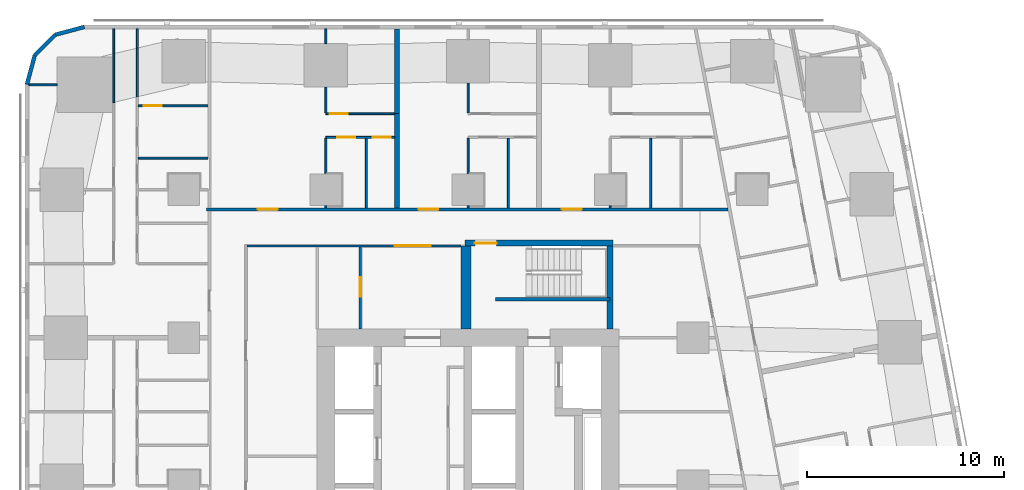
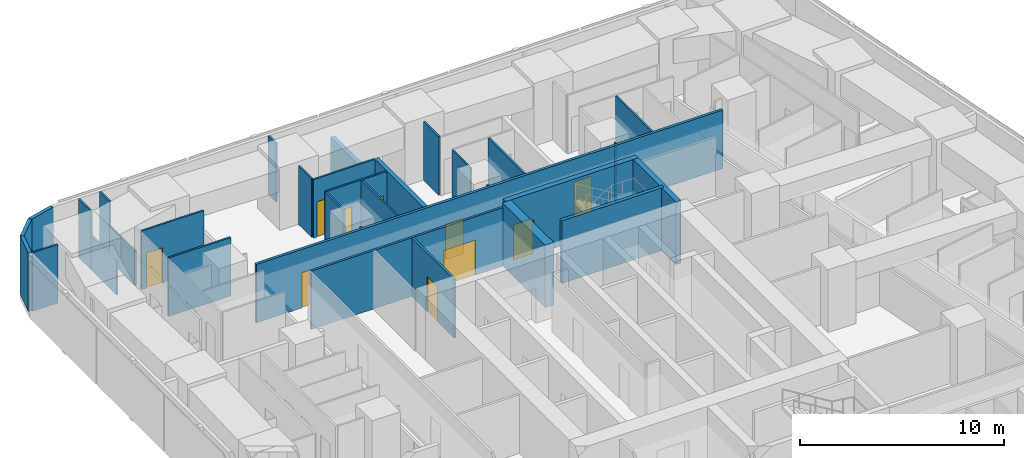
# One storey, part 10 of 16: 32 walls, 10 doors, 10 openings.
"""IFC4 building model written with IfcOpenShell, lengths in metres."""

from ifc_helpers import new_model, si_unit, direction, frame, frame_2d, origin, place, context, subcontext, project, spatial, rectangle, extrude, material, layer, layer_set, type_object, element, fill, save


model = new_model("IFC4")

# Units and contexts
model_context = context("Model", 3, precision=1e-05, world=origin(), true_north=direction((0.0, 1.0)))
body_context = subcontext(model_context, "Body", "Model", "MODEL_VIEW")
ifc_project = project(units=[si_unit("LENGTHUNIT", "METRE"), si_unit("AREAUNIT", "SQUARE_METRE"), si_unit("VOLUMEUNIT", "CUBIC_METRE"), si_unit("PLANEANGLEUNIT", "RADIAN"), si_unit("MASSUNIT", "GRAM", prefix="KILO")], contexts=[model_context])

# Site, building, storey
site_placement = place(None, origin())
site = spatial("IfcSite", under=ifc_project, at=site_placement, CompositionType="ELEMENT")
building_placement = place(site_placement, origin())
building = spatial("IfcBuilding", under=site, at=building_placement, Name="Sheger Commons Tower", CompositionType="ELEMENT")
storey_placement = place(building_placement, frame((0.0, 0.0, 92.89990234375)))
storey = spatial("IfcBuildingStorey", under=building, at=storey_placement, Name="L23", CompositionType="ELEMENT", Elevation=92.89990234375)

# Wall, openings, doors
ifc_material_1 = material(Name="Hollow concrete block masonry, skimmed both sides", Category="masonry")
ifc_layer_1 = layer(ifc_material_1, 0.14990234375)
ifc_layer_set_1 = layer_set([ifc_layer_1], Name="CORRIDOR WALL 150")
wall_type_1 = type_object("IfcWallType", Name="CORRIDOR WALL 150", PredefinedType="SOLIDWALL", material=ifc_layer_set_1)
wall_1_placement = place(storey_placement, frame((8.35009765625, 36.5, 0.0), z_axis=(0.0, 0.0, 1.0), x_axis=(1.0, 0.0, 0.0)))
wall_1 = element("IfcWall", 1, at=wall_1_placement, inside=storey, type_object=wall_type_1, Name="Corridor wall L23", PredefinedType="SOLIDWALL", context=body_context, shape_type="SweptSolid", body=[
    extrude(rectangle(XDim=26.414794921875, YDim=0.14990234375, at=frame_2d((13.20751953125, 0.0))), origin(), (0.0, 0.0, 1.0), 3.5),
])
opening_1_placement = place(wall_1_placement, frame((2.60009765625, 0.0, 0.0)))
opening_1 = element("IfcOpeningElement", 2, at=opening_1_placement, cuts=wall_1, Name="Opening D1", PredefinedType="OPENING", context=body_context, shape_type="SweptSolid", body=[
    extrude(rectangle(XDim=1.0, YDim=2.10009765625, at=frame_2d((0.5, 1.050048828125))), frame((0.0, 0.0849609375, 0.0), z_axis=(0.0, -1.0, 0.0), x_axis=(1.0, 0.0, 0.0)), (0.0, 0.0, 1.0), 0.169921875),
])
opening_2_placement = place(wall_1_placement, frame((10.75, 0.0, 0.0)))
opening_2 = element("IfcOpeningElement", 3, at=opening_2_placement, cuts=wall_1, Name="Opening D1", PredefinedType="OPENING", context=body_context, shape_type="SweptSolid", body=[
    extrude(rectangle(XDim=1.0, YDim=2.10009765625, at=frame_2d((0.5, 1.050048828125))), frame((0.0, 0.0849609375, 0.0), z_axis=(0.0, -1.0, 0.0), x_axis=(1.0, 0.0, 0.0)), (0.0, 0.0, 1.0), 0.169921875),
])
opening_3_placement = place(wall_1_placement, frame((18.007080078125, 0.0, 0.0)))
opening_3 = element("IfcOpeningElement", 4, at=opening_3_placement, cuts=wall_1, Name="Opening D1", PredefinedType="OPENING", context=body_context, shape_type="SweptSolid", body=[
    extrude(rectangle(XDim=1.0, YDim=2.10009765625, at=frame_2d((0.5, 1.050048828125))), frame((0.0, 0.0849609375, 0.0), z_axis=(0.0, -1.0, 0.0), x_axis=(1.0, 0.0, 0.0)), (0.0, 0.0, 1.0), 0.169921875),
])
ifc_material_2 = material(Name="Steel door set, fire rated", Category="steel")
door_type_1 = type_object("IfcDoorType", Name="FLAT ENTRANCE DOOR 1000x2100", OperationType="NOTDEFINED", PredefinedType="DOOR", material=ifc_material_2)
door_1_placement = place(opening_1_placement, origin())
door_1 = element("IfcDoor", 5, at=door_1_placement, inside=storey, type_object=door_type_1, Name="Flat entrance door", OperationType="SINGLE_SWING_LEFT", OverallHeight=2.10009765625, OverallWidth=1.0, PredefinedType="DOOR", context=body_context, shape_type="SweptSolid", body=[
    extrude(rectangle(XDim=1.0, YDim=2.10009765625, at=frame_2d((0.5, 1.050048828125))), frame((0.0, 0.02490234375, 0.0), z_axis=(0.0, -1.0, 0.0), x_axis=(1.0, 0.0, 0.0)), (0.0, 0.0, 1.0), 0.050048828125),
])
fill(opening_1, door_1)
door_2_placement = place(opening_2_placement, origin())
door_2 = element("IfcDoor", 6, at=door_2_placement, inside=storey, type_object=door_type_1, Name="Flat entrance door", OperationType="SINGLE_SWING_LEFT", OverallHeight=2.10009765625, OverallWidth=1.0, PredefinedType="DOOR", context=body_context, shape_type="SweptSolid", body=[
    extrude(rectangle(XDim=1.0, YDim=2.10009765625, at=frame_2d((0.5, 1.050048828125))), frame((0.0, 0.02490234375, 0.0), z_axis=(0.0, -1.0, 0.0), x_axis=(1.0, 0.0, 0.0)), (0.0, 0.0, 1.0), 0.050048828125),
])
fill(opening_2, door_2)
door_3_placement = place(opening_3_placement, origin())
door_3 = element("IfcDoor", 7, at=door_3_placement, inside=storey, type_object=door_type_1, Name="Flat entrance door", OperationType="SINGLE_SWING_LEFT", OverallHeight=2.10009765625, OverallWidth=1.0, PredefinedType="DOOR", context=body_context, shape_type="SweptSolid", body=[
    extrude(rectangle(XDim=1.0, YDim=2.10009765625, at=frame_2d((0.5, 1.050048828125))), frame((0.0, 0.02490234375, 0.0), z_axis=(0.0, -1.0, 0.0), x_axis=(1.0, 0.0, 0.0)), (0.0, 0.0, 1.0), 0.050048828125),
])
fill(opening_3, door_3)

# Walls
ifc_material_3 = material(Name="Dense concrete block masonry, plastered both sides (separating wall between flats)", Category="masonry")
ifc_layer_2 = layer(ifc_material_3, 0.25)
ifc_layer_set_2 = layer_set([ifc_layer_2], Name="DEMISING WALL 250")
wall_type_2 = type_object("IfcWallType", Name="DEMISING WALL 250", PredefinedType="SOLIDWALL", material=ifc_layer_set_2)
wall_2_placement = place(storey_placement, frame((18.0, 41.35009765625, 0.0), z_axis=(0.0, 0.0, 1.0), x_axis=(0.0, 1.0, 0.0)))
element("IfcWall", 8, at=wall_2_placement, inside=storey, type_object=wall_type_2, Name="Demising wall L23", PredefinedType="SOLIDWALL", context=body_context, shape_type="SweptSolid", body=[
    extrude(rectangle(XDim=4.2998046875, YDim=0.25, at=frame_2d((2.14990234375, 0.0))), origin(), (0.0, 0.0, 1.0), 2.2001953125),
])
wall_3_placement = place(storey_placement, frame((18.0, 36.574951171875, 0.0), z_axis=(0.0, 0.0, 1.0), x_axis=(0.0, 1.0, 0.0)))
element("IfcWall", 9, at=wall_3_placement, inside=storey, type_object=wall_type_2, Name="Demising wall L23", PredefinedType="SOLIDWALL", context=body_context, shape_type="SweptSolid", body=[
    extrude(rectangle(XDim=4.775146484375, YDim=0.25, at=frame_2d((2.3876953125, 0.0))), origin(), (0.0, 0.0, 1.0), 3.5),
])
ifc_material_4 = material(Name="Rendered concrete block masonry, dark grey", Category="masonry")
ifc_layer_3 = layer(ifc_material_4, 0.199951171875)
ifc_layer_set_3 = layer_set([ifc_layer_3], Name="FACADE WALL 200")
wall_type_3 = type_object("IfcWallType", Name="FACADE WALL 200", PredefinedType="SOLIDWALL", material=ifc_layer_set_3)
wall_4_placement = place(storey_placement, frame((2.1630859375, 45.75, 0.0), z_axis=(0.0, 0.0, 1.0), x_axis=(-0.965832000415, -0.259168954497, 0.0)))
element("IfcWall", 10, at=wall_4_placement, inside=storey, type_object=wall_type_3, Name="Facade wall L23", PredefinedType="SOLIDWALL", context=body_context, shape_type="SweptSolid", body=[
    extrude(rectangle(XDim=1.512939453125, YDim=0.199951171875, at=frame_2d((0.75634765625, 0.0))), origin(), (0.0, 0.0, 1.0), 3.5),
])
wall_5_placement = place(storey_placement, frame((0.701904296875, 45.35791015625, 0.0), z_axis=(0.0, 0.0, 1.0), x_axis=(-0.707106781187, -0.707106781187, 0.0)))
element("IfcWall", 11, at=wall_5_placement, inside=storey, type_object=wall_type_3, Name="Facade wall L23", PredefinedType="SOLIDWALL", context=body_context, shape_type="SweptSolid", body=[
    extrude(rectangle(XDim=1.498779296875, YDim=0.199951171875, at=frame_2d((0.74951171875, 0.0))), origin(), (0.0, 0.0, 1.0), 3.5),
])
wall_6_placement = place(storey_placement, frame((-0.35791015625, 44.298095703125, 0.0), z_axis=(0.0, 0.0, 1.0), x_axis=(-0.259168954497, -0.965832000415, 0.0)))
element("IfcWall", 12, at=wall_6_placement, inside=storey, type_object=wall_type_3, Name="Facade wall L23", PredefinedType="SOLIDWALL", context=body_context, shape_type="SweptSolid", body=[
    extrude(rectangle(XDim=1.512939453125, YDim=0.199951171875, at=frame_2d((0.75634765625, 0.0))), origin(), (0.0, 0.0, 1.0), 3.5),
])
ifc_material_5 = material(Name="Gypsum board on steel studs", Category="steel")
ifc_layer_4 = layer(ifc_material_5, 0.10009765625)
ifc_layer_set_4 = layer_set([ifc_layer_4], Name="PARTITION 100")
wall_type_4 = type_object("IfcWallType", Name="PARTITION 100", PredefinedType="PARTITIONING", material=ifc_layer_set_4)
wall_7_placement = place(storey_placement, frame((3.64990234375, 41.9150390625, 0.0), z_axis=(0.0, 0.0, 1.0), x_axis=(0.0, 1.0, 0.0)))
element("IfcWall", 13, at=wall_7_placement, inside=storey, type_object=wall_type_4, Name="Partition L23", PredefinedType="PARTITIONING", context=body_context, shape_type="SweptSolid", body=[
    extrude(rectangle(XDim=2.489990234375, YDim=0.10009765625, at=frame_2d((1.2451171875, 0.0))), origin(), (0.0, 0.0, 1.0), 2.050048828125),
])
wall_8_placement = place(storey_placement, frame((3.64990234375, 44.405029296875, 0.0), z_axis=(0.0, 0.0, 1.0), x_axis=(0.0, 1.0, 0.0)))
element("IfcWall", 14, at=wall_8_placement, inside=storey, type_object=wall_type_4, Name="Partition L23", PredefinedType="PARTITIONING", context=body_context, shape_type="SweptSolid", body=[
    extrude(rectangle(XDim=1.244873046875, YDim=0.10009765625, at=frame_2d((0.62255859375, 0.0))), origin(), (0.0, 0.0, 1.0), 3.5),
])
wall_9_placement = place(storey_placement, frame((4.85009765625, 42.198974609375, 0.0), z_axis=(0.0, 0.0, 1.0), x_axis=(0.0, 1.0, 0.0)))
element("IfcWall", 15, at=wall_9_placement, inside=storey, type_object=wall_type_4, Name="Partition L23", PredefinedType="PARTITIONING", context=body_context, shape_type="SweptSolid", body=[
    extrude(rectangle(XDim=2.489990234375, YDim=0.10009765625, at=frame_2d((1.2451171875, 0.0))), origin(), (0.0, 0.0, 1.0), 2.050048828125),
])
wall_10_placement = place(storey_placement, frame((4.85009765625, 44.68896484375, 0.0), z_axis=(0.0, 0.0, 1.0), x_axis=(0.0, 1.0, 0.0)))
element("IfcWall", 16, at=wall_10_placement, inside=storey, type_object=wall_type_4, Name="Partition L23", PredefinedType="PARTITIONING", context=body_context, shape_type="SweptSolid", body=[
    extrude(rectangle(XDim=0.9609375, YDim=0.10009765625, at=frame_2d((0.48046875, 0.0))), origin(), (0.0, 0.0, 1.0), 3.5),
])
wall_11_placement = place(storey_placement, frame((-0.64990234375, 42.81396484375, 0.0), z_axis=(0.0, 0.0, 1.0), x_axis=(1.0, 0.0, 0.0)))
element("IfcWall", 17, at=wall_11_placement, inside=storey, type_object=wall_type_4, Name="Partition L23", PredefinedType="PARTITIONING", context=body_context, shape_type="SweptSolid", body=[
    extrude(rectangle(XDim=1.434814453125, YDim=0.10009765625, at=frame_2d((0.71728515625, 0.0))), origin(), (0.0, 0.0, 1.0), 3.5),
])
wall_12_placement = place(storey_placement, frame((4.89990234375, 39.10009765625, 0.0), z_axis=(0.0, 0.0, 1.0), x_axis=(1.0, 0.0, 0.0)))
element("IfcWall", 18, at=wall_12_placement, inside=storey, type_object=wall_type_4, Name="Partition L23", PredefinedType="PARTITIONING", context=body_context, shape_type="SweptSolid", body=[
    extrude(rectangle(XDim=3.525146484375, YDim=0.10009765625, at=frame_2d((1.7626953125, 0.0))), origin(), (0.0, 0.0, 1.0), 3.5),
])

# Wall, opening, door
wall_13_placement = place(storey_placement, frame((14.39990234375, 41.35009765625, 0.0), z_axis=(0.0, 0.0, 1.0), x_axis=(1.0, 0.0, 0.0)))
wall_13 = element("IfcWall", 19, at=wall_13_placement, inside=storey, type_object=wall_type_4, Name="Partition L23", PredefinedType="PARTITIONING", context=body_context, shape_type="SweptSolid", body=[
    extrude(rectangle(XDim=3.47509765625, YDim=0.10009765625, at=frame_2d((1.737548828125, 0.0))), origin(), (0.0, 0.0, 1.0), 3.5),
])
opening_4_placement = place(wall_13_placement, frame((0.199951171875, 0.0, 0.0)))
opening_4 = element("IfcOpeningElement", 20, at=opening_4_placement, cuts=wall_13, Name="Opening D2", PredefinedType="OPENING", context=body_context, shape_type="SweptSolid", body=[
    extrude(rectangle(XDim=0.89990234375, YDim=2.10009765625, at=frame_2d((0.449951171875, 1.050048828125))), frame((0.0, 0.06005859375, 0.0), z_axis=(0.0, -1.0, 0.0), x_axis=(1.0, 0.0, 0.0)), (0.0, 0.0, 1.0), 0.1201171875),
])
ifc_material_6 = material(Name="Timber door set", Category="wood")
door_type_2 = type_object("IfcDoorType", Name="INTERNAL DOOR 900x2100", OperationType="NOTDEFINED", PredefinedType="DOOR", material=ifc_material_6)
door_4_placement = place(opening_4_placement, origin())
door_4 = element("IfcDoor", 21, at=door_4_placement, inside=storey, type_object=door_type_2, Name="Main bedroom door", OperationType="SINGLE_SWING_LEFT", OverallHeight=2.10009765625, OverallWidth=0.89990234375, PredefinedType="DOOR", context=body_context, shape_type="SweptSolid", body=[
    extrude(rectangle(XDim=0.89990234375, YDim=2.10009765625, at=frame_2d((0.449951171875, 1.050048828125))), frame((0.0, 0.02490234375, 0.0), z_axis=(0.0, -1.0, 0.0), x_axis=(1.0, 0.0, 0.0)), (0.0, 0.0, 1.0), 0.050048828125),
])
fill(opening_4, door_4)

# Wall, openings, doors
wall_14_placement = place(storey_placement, frame((14.39990234375, 40.14990234375, 0.0), z_axis=(0.0, 0.0, 1.0), x_axis=(1.0, 0.0, 0.0)))
wall_14 = element("IfcWall", 22, at=wall_14_placement, inside=storey, type_object=wall_type_4, Name="Partition L23", PredefinedType="PARTITIONING", context=body_context, shape_type="SweptSolid", body=[
    extrude(rectangle(XDim=3.47509765625, YDim=0.10009765625, at=frame_2d((1.737548828125, 0.0))), origin(), (0.0, 0.0, 1.0), 3.5),
])
opening_5_placement = place(wall_14_placement, frame((0.574951171875, 0.0, 0.0)))
opening_5 = element("IfcOpeningElement", 23, at=opening_5_placement, cuts=wall_14, Name="Opening D2", PredefinedType="OPENING", context=body_context, shape_type="SweptSolid", body=[
    extrude(rectangle(XDim=0.89990234375, YDim=2.10009765625, at=frame_2d((0.449951171875, 1.050048828125))), frame((0.0, 0.06005859375, 0.0), z_axis=(0.0, -1.0, 0.0), x_axis=(1.0, 0.0, 0.0)), (0.0, 0.0, 1.0), 0.1201171875),
])
opening_6_placement = place(wall_14_placement, frame((2.375, 0.0, 0.0)))
opening_6 = element("IfcOpeningElement", 24, at=opening_6_placement, cuts=wall_14, Name="Opening D2", PredefinedType="OPENING", context=body_context, shape_type="SweptSolid", body=[
    extrude(rectangle(XDim=0.89990234375, YDim=2.10009765625, at=frame_2d((0.449951171875, 1.050048828125))), frame((0.0, 0.06005859375, 0.0), z_axis=(0.0, -1.0, 0.0), x_axis=(1.0, 0.0, 0.0)), (0.0, 0.0, 1.0), 0.1201171875),
])
door_5_placement = place(opening_5_placement, origin())
door_5 = element("IfcDoor", 25, at=door_5_placement, inside=storey, type_object=door_type_2, Name="Bathroom door", OperationType="SINGLE_SWING_RIGHT", OverallHeight=2.10009765625, OverallWidth=0.89990234375, PredefinedType="DOOR", context=body_context, shape_type="SweptSolid", body=[
    extrude(rectangle(XDim=0.89990234375, YDim=2.10009765625, at=frame_2d((0.449951171875, 1.050048828125))), frame((0.0, 0.02490234375, 0.0), z_axis=(0.0, -1.0, 0.0), x_axis=(1.0, 0.0, 0.0)), (0.0, 0.0, 1.0), 0.050048828125),
])
fill(opening_5, door_5)
door_6_placement = place(opening_6_placement, origin())
door_6 = element("IfcDoor", 26, at=door_6_placement, inside=storey, type_object=door_type_2, Name="Store door", OperationType="SINGLE_SWING_LEFT", OverallHeight=2.10009765625, OverallWidth=0.89990234375, PredefinedType="DOOR", context=body_context, shape_type="SweptSolid", body=[
    extrude(rectangle(XDim=0.89990234375, YDim=2.10009765625, at=frame_2d((0.449951171875, 1.050048828125))), frame((0.0, 0.02490234375, 0.0), z_axis=(0.0, -1.0, 0.0), x_axis=(1.0, 0.0, 0.0)), (0.0, 0.0, 1.0), 0.050048828125),
])
fill(opening_6, door_6)

# Walls
wall_15_placement = place(storey_placement, frame((14.39990234375, 41.39990234375, 0.0), z_axis=(0.0, 0.0, 1.0), x_axis=(0.0, 1.0, 0.0)))
element("IfcWall", 27, at=wall_15_placement, inside=storey, type_object=wall_type_4, Name="Partition L23", PredefinedType="PARTITIONING", context=body_context, shape_type="SweptSolid", body=[
    extrude(rectangle(XDim=1.299072265625, YDim=0.10009765625, at=frame_2d((0.6494140625, 0.0))), origin(), (0.0, 0.0, 1.0), 3.5),
])
wall_16_placement = place(storey_placement, frame((14.39990234375, 44.90087890625, 0.0), z_axis=(0.0, 0.0, 1.0), x_axis=(0.0, 1.0, 0.0)))
element("IfcWall", 28, at=wall_16_placement, inside=storey, type_object=wall_type_4, Name="Partition L23", PredefinedType="PARTITIONING", context=body_context, shape_type="SweptSolid", body=[
    extrude(rectangle(XDim=0.7490234375, YDim=0.10009765625, at=frame_2d((0.37451171875, 0.0))), origin(), (0.0, 0.0, 1.0), 3.5),
])
wall_17_placement = place(storey_placement, frame((14.39990234375, 36.574951171875, 0.0), z_axis=(0.0, 0.0, 1.0), x_axis=(0.0, 1.0, 0.0)))
element("IfcWall", 29, at=wall_17_placement, inside=storey, type_object=wall_type_4, Name="Partition L23", PredefinedType="PARTITIONING", context=body_context, shape_type="SweptSolid", body=[
    extrude(rectangle(XDim=0.1240234375, YDim=0.10009765625, at=frame_2d((0.06201171875, 0.0))), origin(), (0.0, 0.0, 1.0), 3.5),
])
wall_18_placement = place(storey_placement, frame((14.39990234375, 38.301025390625, 0.0), z_axis=(0.0, 0.0, 1.0), x_axis=(0.0, 1.0, 0.0)))
element("IfcWall", 30, at=wall_18_placement, inside=storey, type_object=wall_type_4, Name="Partition L23", PredefinedType="PARTITIONING", context=body_context, shape_type="SweptSolid", body=[
    extrude(rectangle(XDim=1.799072265625, YDim=0.10009765625, at=frame_2d((0.8994140625, 0.0))), origin(), (0.0, 0.0, 1.0), 3.5),
])
wall_19_placement = place(storey_placement, frame((16.449951171875, 36.574951171875, 0.0), z_axis=(0.0, 0.0, 1.0), x_axis=(0.0, 1.0, 0.0)))
element("IfcWall", 31, at=wall_19_placement, inside=storey, type_object=wall_type_4, Name="Partition L23", PredefinedType="PARTITIONING", context=body_context, shape_type="SweptSolid", body=[
    extrude(rectangle(XDim=3.525146484375, YDim=0.10009765625, at=frame_2d((1.7626953125, 0.0))), origin(), (0.0, 0.0, 1.0), 3.5),
])
wall_20_placement = place(storey_placement, frame((21.60009765625, 41.39990234375, 0.0), z_axis=(0.0, 0.0, 1.0), x_axis=(0.0, 1.0, 0.0)))
element("IfcWall", 32, at=wall_20_placement, inside=storey, type_object=wall_type_4, Name="Partition L23", PredefinedType="PARTITIONING", context=body_context, shape_type="SweptSolid", body=[
    extrude(rectangle(XDim=1.4990234375, YDim=0.10009765625, at=frame_2d((0.74951171875, 0.0))), origin(), (0.0, 0.0, 1.0), 3.5),
])
wall_21_placement = place(storey_placement, frame((21.60009765625, 36.574951171875, 0.0), z_axis=(0.0, 0.0, 1.0), x_axis=(0.0, 1.0, 0.0)))
element("IfcWall", 33, at=wall_21_placement, inside=storey, type_object=wall_type_4, Name="Partition L23", PredefinedType="PARTITIONING", context=body_context, shape_type="SweptSolid", body=[
    extrude(rectangle(XDim=0.1240234375, YDim=0.10009765625, at=frame_2d((0.06201171875, 0.0))), origin(), (0.0, 0.0, 1.0), 3.5),
])
wall_22_placement = place(storey_placement, frame((21.60009765625, 38.301025390625, 0.0), z_axis=(0.0, 0.0, 1.0), x_axis=(0.0, 1.0, 0.0)))
element("IfcWall", 34, at=wall_22_placement, inside=storey, type_object=wall_type_4, Name="Partition L23", PredefinedType="PARTITIONING", context=body_context, shape_type="SweptSolid", body=[
    extrude(rectangle(XDim=1.799072265625, YDim=0.10009765625, at=frame_2d((0.8994140625, 0.0))), origin(), (0.0, 0.0, 1.0), 3.5),
])
wall_23_placement = place(storey_placement, frame((23.64990234375, 36.574951171875, 0.0), z_axis=(0.0, 0.0, 1.0), x_axis=(0.0, 1.0, 0.0)))
element("IfcWall", 35, at=wall_23_placement, inside=storey, type_object=wall_type_4, Name="Partition L23", PredefinedType="PARTITIONING", context=body_context, shape_type="SweptSolid", body=[
    extrude(rectangle(XDim=3.525146484375, YDim=0.10009765625, at=frame_2d((1.7626953125, 0.0))), origin(), (0.0, 0.0, 1.0), 3.5),
])
wall_24_placement = place(storey_placement, frame((28.800048828125, 36.574951171875, 0.0), z_axis=(0.0, 0.0, 1.0), x_axis=(0.0, 1.0, 0.0)))
element("IfcWall", 36, at=wall_24_placement, inside=storey, type_object=wall_type_4, Name="Partition L23", PredefinedType="PARTITIONING", context=body_context, shape_type="SweptSolid", body=[
    extrude(rectangle(XDim=0.1240234375, YDim=0.10009765625, at=frame_2d((0.06201171875, 0.0))), origin(), (0.0, 0.0, 1.0), 3.5),
])
wall_25_placement = place(storey_placement, frame((30.85009765625, 36.574951171875, 0.0), z_axis=(0.0, 0.0, 1.0), x_axis=(0.0, 1.0, 0.0)))
element("IfcWall", 37, at=wall_25_placement, inside=storey, type_object=wall_type_4, Name="Partition L23", PredefinedType="PARTITIONING", context=body_context, shape_type="SweptSolid", body=[
    extrude(rectangle(XDim=3.525146484375, YDim=0.10009765625, at=frame_2d((1.7626953125, 0.0))), origin(), (0.0, 0.0, 1.0), 3.5),
])

# Wall, opening, door
wall_26_placement = place(storey_placement, frame((8.425048828125, 41.75, 0.0), z_axis=(0.0, 0.0, 1.0), x_axis=(-1.0, 0.0, 0.0)))
wall_26 = element("IfcWall", 38, at=wall_26_placement, inside=storey, type_object=wall_type_4, Name="Partition L23", PredefinedType="PARTITIONING", context=body_context, shape_type="SweptSolid", body=[
    extrude(rectangle(XDim=3.525146484375, YDim=0.10009765625, at=frame_2d((1.7626953125, 0.0))), origin(), (0.0, 0.0, 1.0), 3.5),
])
opening_7_placement = place(wall_26_placement, frame((2.35009765625, 0.0, 0.0)))
opening_7 = element("IfcOpeningElement", 39, at=opening_7_placement, cuts=wall_26, Name="Opening D2", PredefinedType="OPENING", context=body_context, shape_type="SweptSolid", body=[
    extrude(rectangle(XDim=0.89990234375, YDim=2.10009765625, at=frame_2d((0.449951171875, 1.050048828125))), frame((0.0, 0.06005859375, 0.0), z_axis=(0.0, -1.0, 0.0), x_axis=(1.0, 0.0, 0.0)), (0.0, 0.0, 1.0), 0.1201171875),
])
door_7_placement = place(opening_7_placement, origin())
door_7 = element("IfcDoor", 40, at=door_7_placement, inside=storey, type_object=door_type_2, Name="Store door", OperationType="SINGLE_SWING_LEFT", OverallHeight=2.10009765625, OverallWidth=0.89990234375, PredefinedType="DOOR", context=body_context, shape_type="SweptSolid", body=[
    extrude(rectangle(XDim=0.89990234375, YDim=2.10009765625, at=frame_2d((0.449951171875, 1.050048828125))), frame((0.0, 0.02490234375, 0.0), z_axis=(0.0, -1.0, 0.0), x_axis=(1.0, 0.0, 0.0)), (0.0, 0.0, 1.0), 0.050048828125),
])
fill(opening_7, door_7)

ifc_material_7 = material(Name="Gypsum board on steel studs, two layers each side, fire rated", Category="steel")
ifc_layer_5 = layer(ifc_material_7, 0.125)
ifc_layer_set_5 = layer_set([ifc_layer_5], Name="SERVICE WALL 125")
wall_type_5 = type_object("IfcWallType", Name="SERVICE WALL 125", PredefinedType="PARTITIONING", material=ifc_layer_set_5)
wall_27_placement = place(storey_placement, frame((10.4130859375, 34.64990234375, 0.0), z_axis=(0.0, 0.0, 1.0), x_axis=(1.0, 0.0, 0.0)))
wall_27 = element("IfcWall", 41, at=wall_27_placement, inside=storey, type_object=wall_type_5, Name="Service room wall L23", PredefinedType="PARTITIONING", context=body_context, shape_type="SweptSolid", body=[
    extrude(rectangle(XDim=10.8369140625, YDim=0.125, at=frame_2d((5.41845703125, 0.0))), origin(), (0.0, 0.0, 1.0), 3.5),
])
opening_8_placement = place(wall_27_placement, frame((7.487060546875, 0.0, 0.0)))
opening_8 = element("IfcOpeningElement", 42, at=opening_8_placement, cuts=wall_27, Name="Opening D6", PredefinedType="OPENING", context=body_context, shape_type="SweptSolid", body=[
    extrude(rectangle(XDim=1.800048828125, YDim=2.10009765625, at=frame_2d((0.89990234375, 1.050048828125))), frame((0.0, 0.072509765625, 0.0), z_axis=(0.0, -1.0, 0.0), x_axis=(1.0, 0.0, 0.0)), (0.0, 0.0, 1.0), 0.14501953125),
])
ifc_material_8 = material(Name="Steel door set, fire rated", Category="steel")
door_type_3 = type_object("IfcDoorType", Name="LOBBY DOUBLE DOOR 1800x2100", OperationType="DOUBLE_DOOR_SINGLE_SWING", PredefinedType="DOOR", material=ifc_material_8)
door_8_placement = place(opening_8_placement, origin())
door_8 = element("IfcDoor", 43, at=door_8_placement, inside=storey, type_object=door_type_3, Name="Lift lobby north door", OperationType="DOUBLE_DOOR_SINGLE_SWING", OverallHeight=2.10009765625, OverallWidth=1.800048828125, PredefinedType="DOOR", context=body_context, shape_type="SweptSolid", body=[
    extrude(rectangle(XDim=1.800048828125, YDim=2.10009765625, at=frame_2d((0.89990234375, 1.050048828125))), frame((0.0, 0.02490234375, 0.0), z_axis=(0.0, -1.0, 0.0), x_axis=(1.0, 0.0, 0.0)), (0.0, 0.0, 1.0), 0.050048828125),
])
fill(opening_8, door_8)

wall_28_placement = place(storey_placement, frame((16.14990234375, 30.449951171875, 0.0), z_axis=(0.0, 0.0, 1.0), x_axis=(0.0, 1.0, 0.0)))
wall_28 = element("IfcWall", 44, at=wall_28_placement, inside=storey, type_object=wall_type_5, Name="Service room wall L23", PredefinedType="PARTITIONING", context=body_context, shape_type="SweptSolid", body=[
    extrude(rectangle(XDim=4.136962890625, YDim=0.125, at=frame_2d((2.068359375, 0.0))), origin(), (0.0, 0.0, 1.0), 3.5),
])
opening_9_placement = place(wall_28_placement, frame((1.625, 0.0, 0.0)))
opening_9 = element("IfcOpeningElement", 45, at=opening_9_placement, cuts=wall_28, Name="Opening D4", PredefinedType="OPENING", context=body_context, shape_type="SweptSolid", body=[
    extrude(rectangle(XDim=1.0, YDim=2.10009765625, at=frame_2d((0.5, 1.050048828125))), frame((0.0, 0.072509765625, 0.0), z_axis=(0.0, -1.0, 0.0), x_axis=(1.0, 0.0, 0.0)), (0.0, 0.0, 1.0), 0.14501953125),
])
ifc_material_9 = material(Name="Steel door set, fire rated", Category="steel")
door_type_4 = type_object("IfcDoorType", Name="SERVICE DOOR 1000x2100", OperationType="NOTDEFINED", PredefinedType="DOOR", material=ifc_material_9)
door_9_placement = place(opening_9_placement, origin())
door_9 = element("IfcDoor", 46, at=door_9_placement, inside=storey, type_object=door_type_4, Name="Telecom room door", OperationType="SINGLE_SWING_RIGHT", OverallHeight=2.10009765625, OverallWidth=1.0, PredefinedType="DOOR", context=body_context, shape_type="SweptSolid", body=[
    extrude(rectangle(XDim=1.0, YDim=2.10009765625, at=frame_2d((0.5, 1.050048828125))), frame((0.0, 0.02490234375, 0.0), z_axis=(0.0, -1.0, 0.0), x_axis=(1.0, 0.0, 0.0)), (0.0, 0.0, 1.0), 0.050048828125),
])
fill(opening_9, door_9)

ifc_material_10 = material(Name="Concrete C50/60", Category="concrete")
ifc_layer_6 = layer(ifc_material_10, 0.300048828125)
ifc_layer_set_6 = layer_set([ifc_layer_6], Name="STAIR CORE WALL 300")
wall_type_6 = type_object("IfcWallType", Name="STAIR CORE WALL 300", PredefinedType="SHEAR", material=ifc_layer_set_6)
wall_29_placement = place(storey_placement, frame((21.449951171875, 34.800048828125, 0.0), z_axis=(0.0, 0.0, 1.0), x_axis=(1.0, 0.0, 0.0)))
wall_29 = element("IfcWall", 47, at=wall_29_placement, inside=storey, type_object=wall_type_6, Name="STW-L23-S2N", PredefinedType="SHEAR", context=body_context, shape_type="SweptSolid", body=[
    extrude(rectangle(XDim=7.5, YDim=0.300048828125, at=frame_2d((3.75, 0.0))), origin(), (0.0, 0.0, 1.0), 3.75),
])
opening_10_placement = place(wall_29_placement, frame((0.5, 0.0, 0.0)))
opening_10 = element("IfcOpeningElement", 48, at=opening_10_placement, cuts=wall_29, Name="Opening D5", PredefinedType="OPENING", context=body_context, shape_type="SweptSolid", body=[
    extrude(rectangle(XDim=1.10009765625, YDim=2.10009765625, at=frame_2d((0.550048828125, 1.050048828125))), frame((0.0, 0.159912109375, 0.0), z_axis=(0.0, -1.0, 0.0), x_axis=(1.0, 0.0, 0.0)), (0.0, 0.0, 1.0), 0.320068359375),
])
ifc_material_11 = material(Name="Steel door set, fire rated", Category="steel")
door_type_5 = type_object("IfcDoorType", Name="STAIR DOOR 1100x2100", OperationType="NOTDEFINED", PredefinedType="DOOR", material=ifc_material_11)
door_10_placement = place(opening_10_placement, origin())
door_10 = element("IfcDoor", 49, at=door_10_placement, inside=storey, type_object=door_type_5, Name="Stair S2 door", OperationType="SINGLE_SWING_RIGHT", OverallHeight=2.10009765625, OverallWidth=1.10009765625, PredefinedType="DOOR", context=body_context, shape_type="SweptSolid", body=[
    extrude(rectangle(XDim=1.10009765625, YDim=2.10009765625, at=frame_2d((0.550048828125, 1.050048828125))), frame((0.0, 0.02490234375, 0.0), z_axis=(0.0, -1.0, 0.0), x_axis=(1.0, 0.0, 0.0)), (0.0, 0.0, 1.0), 0.050048828125),
])
fill(opening_10, door_10)

# Walls
wall_30_placement = place(storey_placement, frame((28.800048828125, 30.449951171875, 0.0), z_axis=(0.0, 0.0, 1.0), x_axis=(0.0, 1.0, 0.0)))
element("IfcWall", 50, at=wall_30_placement, inside=storey, type_object=wall_type_6, Name="STW-L23-S2E", PredefinedType="SHEAR", context=body_context, shape_type="SweptSolid", body=[
    extrude(rectangle(XDim=4.199951171875, YDim=0.300048828125, at=frame_2d((2.10009765625, 0.0))), origin(), (0.0, 0.0, 1.0), 3.75),
])
ifc_material_12 = material(Name="Concrete C50/60", Category="concrete")
ifc_layer_7 = layer(ifc_material_12, 0.5)
ifc_layer_set_7 = layer_set([ifc_layer_7], Name="STAIR CORE WALL 500")
wall_type_7 = type_object("IfcWallType", Name="STAIR CORE WALL 500", PredefinedType="SHEAR", material=ifc_layer_set_7)
wall_31_placement = place(storey_placement, frame((21.5, 30.449951171875, 0.0), z_axis=(0.0, 0.0, 1.0), x_axis=(0.0, 1.0, 0.0)))
element("IfcWall", 51, at=wall_31_placement, inside=storey, type_object=wall_type_7, Name="STW-L23-S2W", PredefinedType="SHEAR", context=body_context, shape_type="SweptSolid", body=[
    extrude(rectangle(XDim=4.199951171875, YDim=0.5, at=frame_2d((2.10009765625, 0.0))), origin(), (0.0, 0.0, 1.0), 3.75),
])
ifc_material_13 = material(Name="Concrete C50/60", Category="concrete")
ifc_layer_8 = layer(ifc_material_13, 0.199951171875)
ifc_layer_set_8 = layer_set([ifc_layer_8], Name="STAIR SPINE WALL 200")
wall_type_8 = type_object("IfcWallType", Name="STAIR SPINE WALL 200", PredefinedType="SHEAR", material=ifc_layer_set_8)
wall_32_placement = place(storey_placement, frame((23.0, 31.949951171875, 0.0), z_axis=(0.0, 0.0, 1.0), x_axis=(1.0, 0.0, 0.0)))
element("IfcWall", 52, at=wall_32_placement, inside=storey, type_object=wall_type_8, Name="Stair spine wall L23", PredefinedType="SHEAR", context=body_context, shape_type="SweptSolid", body=[
    extrude(rectangle(XDim=5.800048828125, YDim=0.199951171875, at=frame_2d((2.89990234375, 0.0))), origin(), (0.0, 0.0, 1.0), 3.75),
])

save(model, "model.ifc")
